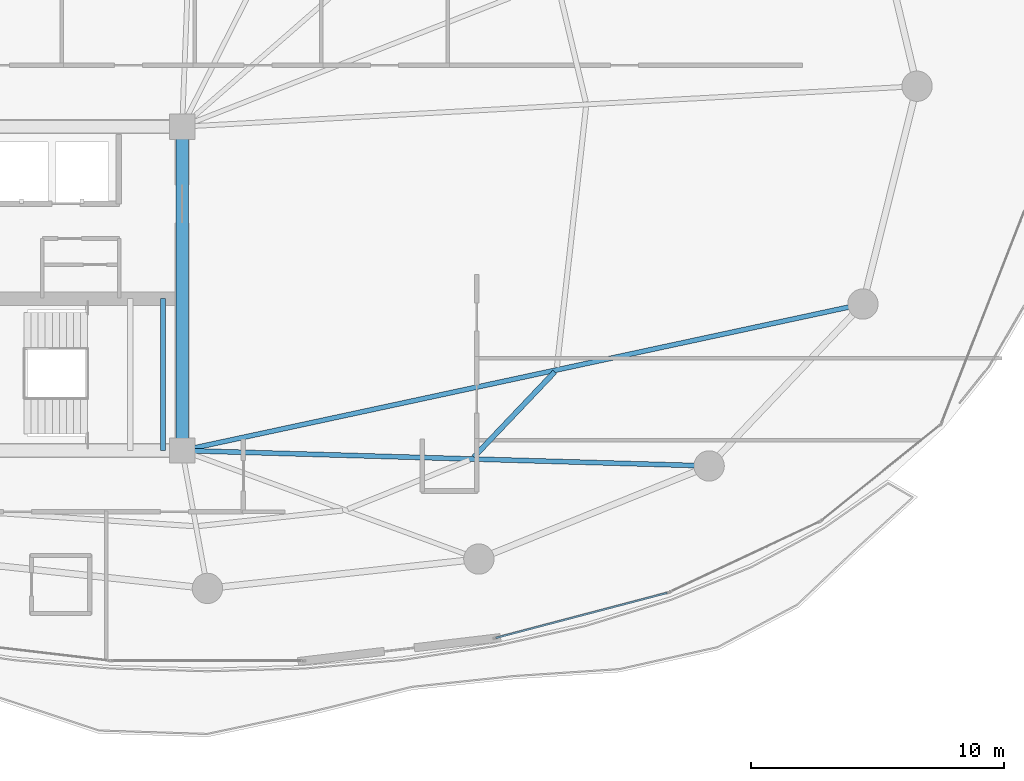
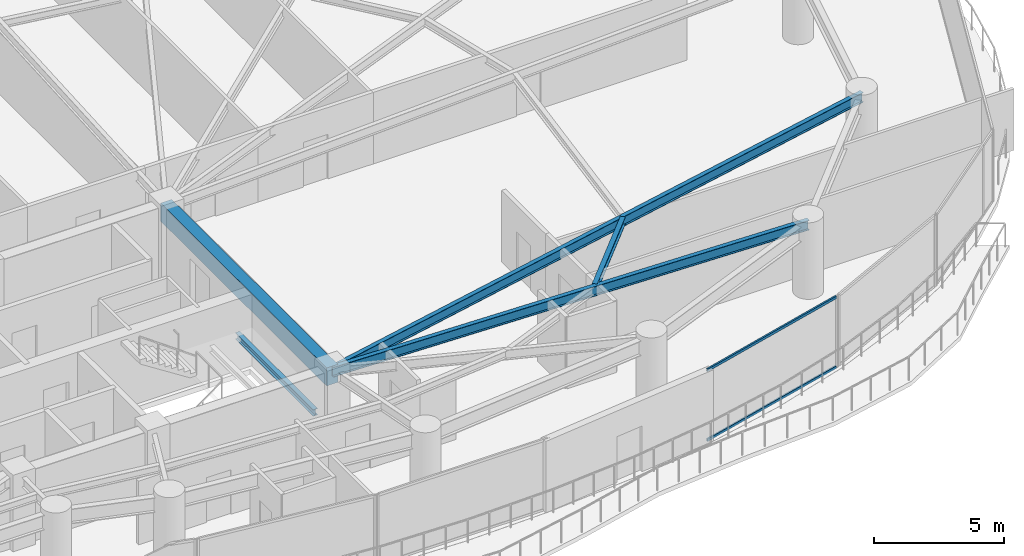
# One storey, part 13 of 34: 5 beams, 2 members, 1 element without a shape of its own.
"""IFC4 building model written with IfcOpenShell, lengths in metres."""

from ifc_helpers import new_model, si_unit, direction, frame, origin, origin_2d, place, context, subcontext, project, spatial, rectangle, hollow_rectangle, i_section, extrude, material, layer, layer_set, material_profile, profile_set, type_object, element, aggregate, save


model = new_model("IFC4")

# Units and contexts
model_context = context("Model", 3, precision=1e-05, world=origin(), true_north=direction((0.0, 1.0)))
body_context = subcontext(model_context, "Body", "Model", "MODEL_VIEW")
ifc_project = project(units=[si_unit("LENGTHUNIT", "METRE"), si_unit("AREAUNIT", "SQUARE_METRE"), si_unit("VOLUMEUNIT", "CUBIC_METRE"), si_unit("PLANEANGLEUNIT", "RADIAN"), si_unit("MASSUNIT", "GRAM", prefix="KILO")], contexts=[model_context])

# Site, building, storey
site_placement = place(None, origin())
site = spatial("IfcSite", under=ifc_project, at=site_placement, CompositionType="ELEMENT")
building_placement = place(site_placement, origin())
building = spatial("IfcBuilding", under=site, at=building_placement, Name="Kazevale Care Tower and Concert Hall", CompositionType="ELEMENT")
storey_placement = place(building_placement, frame((0.0, 0.0, 156.60009765625)))
storey = spatial("IfcBuildingStorey", under=building, at=storey_placement, Name="L41", CompositionType="ELEMENT", Elevation=156.60009765625)

# Curtain wall, members
ifc_material_1 = material(Name="Aluminium 6063-T6 and Low-E Glass", Category="aluminium")
ifc_layer = layer(ifc_material_1, 0.179931640625)
ifc_layer_set = layer_set([ifc_layer], Name="Aluminium 6063-T6 and Low-E Glass")
curtain_wall_type = type_object("IfcCurtainWallType", Name="Sheltered Concave Balcony Curtain Wall CW-5", PredefinedType="NOTDEFINED", material=ifc_layer_set)
curtain_wall_placement = place(storey_placement, origin())
curtain_wall = element("IfcCurtainWall", 1, at=curtain_wall_placement, inside=storey, type_object=curtain_wall_type, Name="cw:L41:f04", PredefinedType="NOTDEFINED")
ifc_material_2 = material(Name="Aluminium 6063-T6", Category="aluminium")
ifc_material_profile_1 = material_profile(ifc_material_2, hollow_rectangle(XDim=0.074951171875, YDim=0.1201171875, WallThickness=0.00390625, at=origin_2d()), Name="ALU75x120x4")
ifc_profile_set_1 = profile_set([ifc_material_profile_1], Name="Aluminium 6063-T6")
member_type = type_object("IfcMemberType", Name="CW-5 Transom ALU75x120x4", PredefinedType="USERDEFINED", material=ifc_profile_set_1)
member_1_placement = place(storey_placement, frame((63.16845703125, 17.971923828125, 0.037353515625), z_axis=(-0.967142752699, -0.254233939321, 0.0), x_axis=(0.254233939321, -0.967142752699, 0.0)))
member_1 = element("IfcMember", 2, at=member_1_placement, type_object=member_type, Name="CW-5 transom 1.1", ObjectType="TRANSOM", PredefinedType="USERDEFINED", context=body_context, shape_type="SweptSolid", body=[
    extrude(hollow_rectangle(XDim=0.074951171875, YDim=0.1201171875, WallThickness=0.00390625, at=origin_2d()), origin(), (0.0, 0.0, 1.0), 6.996826171875),
])
member_2_placement = place(storey_placement, frame((63.16845703125, 17.971923828125, 3.322509765625), z_axis=(-0.967142752699, -0.254233939321, 0.0), x_axis=(0.254233939321, -0.967142752699, 0.0)))
member_2 = element("IfcMember", 3, at=member_2_placement, type_object=member_type, Name="CW-5 transom 1.2", ObjectType="TRANSOM", PredefinedType="USERDEFINED", context=body_context, shape_type="SweptSolid", body=[
    extrude(hollow_rectangle(XDim=0.074951171875, YDim=0.1201171875, WallThickness=0.00390625, at=origin_2d()), origin(), (0.0, 0.0, 1.0), 6.996826171875),
])
aggregate(curtain_wall, [member_1, member_2])

# Beams
ifc_material_3 = material(Name="Concrete C60", Category="concrete")
ifc_material_profile_2 = material_profile(ifc_material_3, rectangle(XDim=0.5, YDim=0.85009765625, at=origin_2d()), Name="RC-B500x850")
ifc_profile_set_2 = profile_set([ifc_material_profile_2], Name="Concrete C60")
beam_type_1 = type_object("IfcBeamType", Name="Core Coupling Beam RC500x850", PredefinedType="LINTEL", material=ifc_profile_set_2)
beam_1_placement = place(storey_placement, frame((44.0, 23.60009765625, 2.934814453125), z_axis=(0.0, 1.0, 0.0), x_axis=(-1.0, 0.0, 0.0)))
element("IfcBeam", 4, at=beam_1_placement, inside=storey, type_object=beam_type_1, Name="beam:L41:coretie:4", PredefinedType="LINTEL", context=body_context, shape_type="SweptSolid", body=[
    extrude(rectangle(XDim=0.5, YDim=0.85009765625, at=origin_2d()), origin(), (0.0, 0.0, 1.0), 12.7998046875),
])
ifc_material_4 = material(Name="Steel ASTM A572 Gr 50", Category="steel")
ifc_material_profile_3 = material_profile(ifc_material_4, i_section(OverallWidth=0.19091796875, OverallDepth=0.4599609375, WebThickness=0.010009765625, FlangeThickness=0.01611328125, at=origin_2d()), Name="W460x82")
ifc_profile_set_3 = profile_set([ifc_material_profile_3], Name="Steel ASTM A572 Gr 50")
beam_type_2 = type_object("IfcBeamType", Name="Radial Floor Beam W460x82", PredefinedType="BEAM", material=ifc_profile_set_3)
beam_2_placement = place(storey_placement, frame((44.0, 23.60009765625, 3.1298828125), z_axis=(0.99957133157, -0.029277177187, 0.0), x_axis=(0.029277177187, 0.99957133157, 0.0)))
element("IfcBeam", 5, at=beam_2_placement, inside=storey, type_object=beam_type_2, Name="beam:L41:rad:15", PredefinedType="BEAM", context=body_context, shape_type="SweptSolid", body=[
    extrude(i_section(OverallWidth=0.19091796875, OverallDepth=0.4599609375, WebThickness=0.010009765625, FlangeThickness=0.01611328125, at=origin_2d()), origin(), (0.0, 0.0, 1.0), 20.839111328125),
])
beam_3_placement = place(storey_placement, frame((44.0, 23.60009765625, 3.1298828125), z_axis=(0.97762801725, 0.210341293823, 0.0), x_axis=(-0.210341293823, 0.97762801725, 0.0)))
element("IfcBeam", 6, at=beam_3_placement, inside=storey, type_object=beam_type_2, Name="beam:L41:rad:16", PredefinedType="BEAM", context=body_context, shape_type="SweptSolid", body=[
    extrude(i_section(OverallWidth=0.19091796875, OverallDepth=0.4599609375, WebThickness=0.010009765625, FlangeThickness=0.01611328125, at=origin_2d()), origin(), (0.0, 0.0, 1.0), 27.525634765625),
])
ifc_material_profile_4 = material_profile(ifc_material_4, i_section(OverallWidth=0.205078125, OverallDepth=0.35400390625, WebThickness=0.009521484375, FlangeThickness=0.016845703125, at=origin_2d()), Name="W360x79")
ifc_profile_set_4 = profile_set([ifc_material_profile_4], Name="Steel ASTM A572 Gr 50")
beam_type_3 = type_object("IfcBeamType", Name="Secondary Floor Joist W360x79", PredefinedType="JOIST", material=ifc_profile_set_4)
beam_4_placement = place(storey_placement, frame((55.529052734375, 23.341064453125, 3.182861328125), z_axis=(0.688792288395, 0.724958746032, 0.0), x_axis=(-0.724958746032, 0.688792288395, 0.0)))
element("IfcBeam", 7, at=beam_4_placement, inside=storey, type_object=beam_type_3, Name="beam:L41:joist:15", PredefinedType="JOIST", context=body_context, shape_type="SweptSolid", body=[
    extrude(i_section(OverallWidth=0.205078125, OverallDepth=0.35400390625, WebThickness=0.009521484375, FlangeThickness=0.016845703125, at=origin_2d()), origin(), (0.0, 0.0, 1.0), 4.644287109375),
])
ifc_material_profile_5 = material_profile(ifc_material_4, i_section(OverallWidth=0.202880859375, OverallDepth=0.302978515625, WebThickness=0.007568359375, FlangeThickness=0.01318359375, at=origin_2d()), Name="W310x60")
ifc_profile_set_5 = profile_set([ifc_material_profile_5], Name="Steel ASTM A572 Gr 50")
beam_type_4 = type_object("IfcBeamType", Name="Stair & Balcony Trimmer W310x60", PredefinedType="BEAM", material=ifc_profile_set_5)
beam_5_placement = place(storey_placement, frame((43.25, 23.60009765625, 1.448486328125), z_axis=(0.0, 1.0, 0.0), x_axis=(-1.0, 0.0, 0.0)))
element("IfcBeam", 8, at=beam_5_placement, inside=storey, type_object=beam_type_4, Name="beam:L41:sttrim:ST2b", PredefinedType="BEAM", context=body_context, shape_type="SweptSolid", body=[
    extrude(i_section(OverallWidth=0.202880859375, OverallDepth=0.302978515625, WebThickness=0.007568359375, FlangeThickness=0.01318359375, at=origin_2d()), origin(), (0.0, 0.0, 1.0), 6.0),
])

save(model, "model.ifc")
